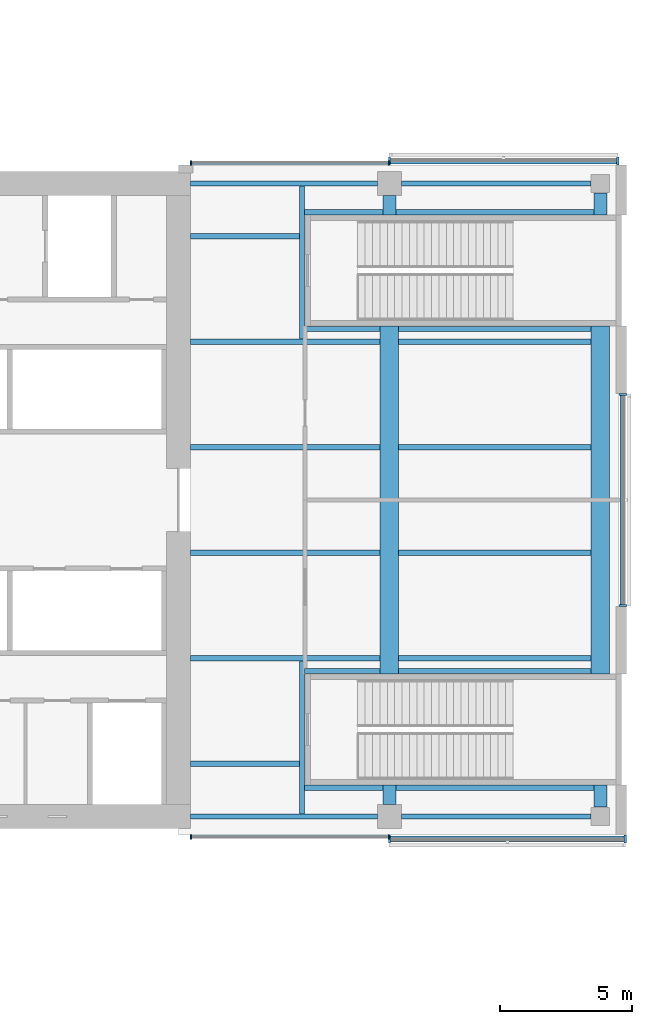
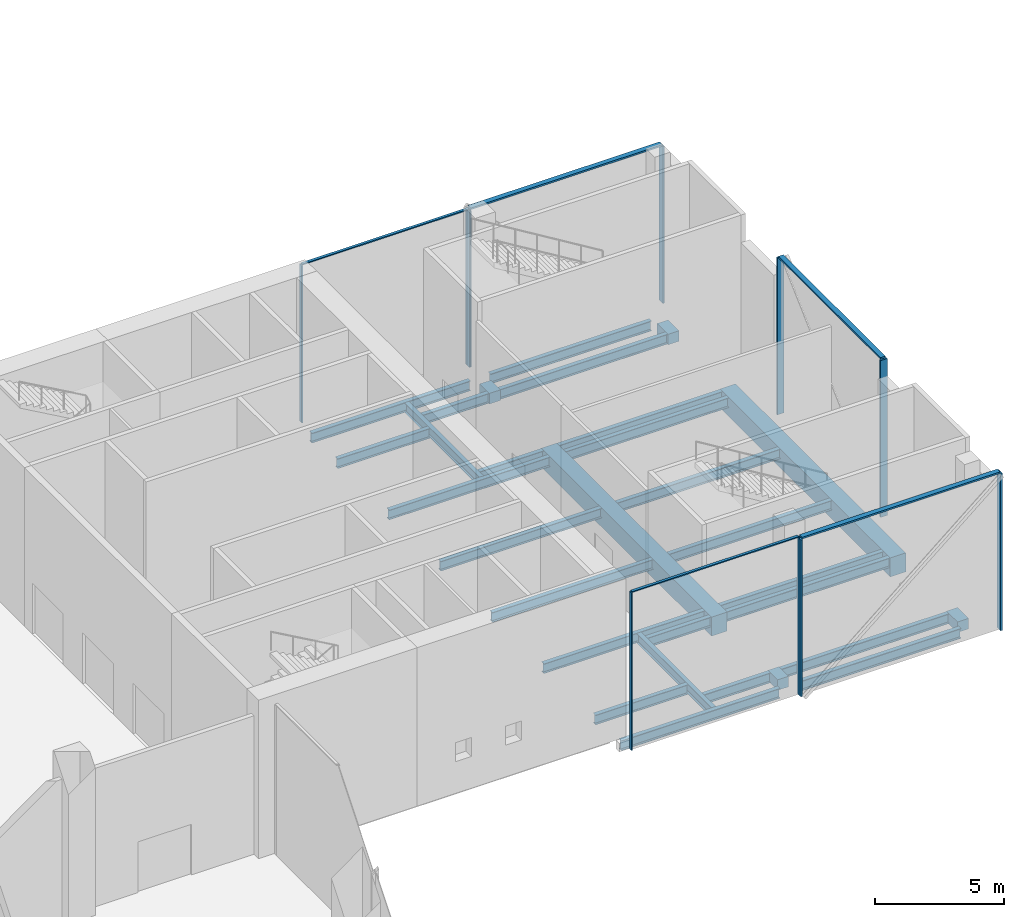
# One storey, part 7 of 25: 30 beams, 15 members, 5 elements without a shape of their own.
"""IFC4 building model written with IfcOpenShell, lengths in metres."""

from ifc_helpers import new_model, si_unit, direction, frame, origin, origin_2d, place, context, subcontext, project, spatial, rectangle, i_section, extrude, material, material_profile, profile_set, type_object, element, aggregate, save


model = new_model("IFC4")

# Units and contexts
model_context = context("Model", 3, precision=1e-05, world=origin(), true_north=direction((0.0, 1.0)))
body_context = subcontext(model_context, "Body", "Model", "MODEL_VIEW")
ifc_project = project(units=[si_unit("LENGTHUNIT", "METRE"), si_unit("AREAUNIT", "SQUARE_METRE"), si_unit("VOLUMEUNIT", "CUBIC_METRE"), si_unit("PLANEANGLEUNIT", "RADIAN"), si_unit("MASSUNIT", "GRAM", prefix="KILO")], contexts=[model_context])

# Site, building, storey
site_placement = place(None, origin())
site = spatial("IfcSite", under=ifc_project, at=site_placement, CompositionType="ELEMENT")
building_placement = place(site_placement, origin())
building = spatial("IfcBuilding", under=site, at=building_placement, Name="Crosswind Convention Tower", CompositionType="ELEMENT")
storey_placement = place(building_placement, frame((0.0, 0.0, 34.0)))
storey = spatial("IfcBuildingStorey", under=building, at=storey_placement, Name="L04", CompositionType="ELEMENT", Elevation=34.0)

# Beams
ifc_material_1 = material(Name="Steel S355", Category="steel")
ifc_material_profile_1 = material_profile(ifc_material_1, i_section(OverallWidth=0.19287109375, OverallDepth=0.467529296875, WebThickness=0.011474609375, FlangeThickness=0.01953125, FilletRadius=0.01025390625, at=origin_2d()), Name="UB 457x191x98")
ifc_profile_set_1 = profile_set([ifc_material_profile_1], Name="Steel S355")
beam_type_1 = type_object("IfcBeamType", Name="Edge beam UB 457x191x98", PredefinedType="SPANDREL", material=ifc_profile_set_1)
for number, where, z_axis, x_axis, name in (
    (1, (153.449951171875, 88.0, -0.6337890625), (1.0, 0.0, 0.0), (0.0, 1.0, 0.0), "B20 L04 edge beam 21"),
    (2, (153.449951171875, 112.0, -0.6337890625), (1.0, 0.0, 0.0), (0.0, 1.0, 0.0), "B20 L04 edge beam 22"),
):
    element("IfcBeam", number, at=place(storey_placement, frame(where, z_axis=z_axis, x_axis=x_axis)), inside=storey, type_object=beam_type_1, Name=name, PredefinedType="SPANDREL", context=body_context, shape_type="SweptSolid", body=[
        extrude(i_section(OverallWidth=0.19287109375, OverallDepth=0.467529296875, WebThickness=0.011474609375, FlangeThickness=0.01953125, FilletRadius=0.01025390625, at=origin_2d()), origin(), (0.0, 0.0, 1.0), 7.10009765625),
    ])
for number, where, z_axis, x_axis, name in (
    (3, (161.449951171875, 88.0, -0.6337890625), (1.0, 0.0, 0.0), (0.0, 1.0, 0.0), "B20 L04 edge beam 23"),
    (4, (161.449951171875, 112.0, -0.6337890625), (1.0, 0.0, 0.0), (0.0, 1.0, 0.0), "B20 L04 edge beam 24"),
):
    element("IfcBeam", number, at=place(storey_placement, frame(where, z_axis=z_axis, x_axis=x_axis)), inside=storey, type_object=beam_type_1, Name=name, PredefinedType="SPANDREL", context=body_context, shape_type="SweptSolid", body=[
        extrude(i_section(OverallWidth=0.19287109375, OverallDepth=0.467529296875, WebThickness=0.011474609375, FlangeThickness=0.01953125, FilletRadius=0.01025390625, at=origin_2d()), origin(), (0.0, 0.0, 1.0), 7.199951171875),
    ])

# Curtain wall, members
ifc_material_2 = material(Name="Aluminium unitised curtain wall", Category="aluminium")
curtain_wall_type_1 = type_object("IfcCurtainWallType", Name="CORE END SLOT WALL 160", PredefinedType="USERDEFINED", material=ifc_material_2)
curtain_wall_1_placement = place(storey_placement, origin())
curtain_wall_1 = element("IfcCurtainWall", 5, at=curtain_wall_1_placement, inside=storey, type_object=curtain_wall_type_1, Name="CW6 L04 E-N.1-2 slot", ObjectType="UNITISED", PredefinedType="USERDEFINED")
ifc_material_3 = material(Name="Aluminium mullion", Category="aluminium")
ifc_material_profile_2 = material_profile(ifc_material_3, rectangle(XDim=0.159912109375, YDim=0.050048828125, at=origin_2d()), Name="AL 160X50")
ifc_profile_set_2 = profile_set([ifc_material_profile_2], Name="Aluminium mullion")
member_type_1 = type_object("IfcMemberType", Name="MULLION 50X160", PredefinedType="MULLION", material=ifc_profile_set_2)
member_1_placement = place(storey_placement, frame((160.97509765625, 112.780029296875, -0.39990234375), z_axis=(0.0, 0.0, 1.0), x_axis=(0.0, 1.0, 0.0)))
member_1 = element("IfcMember", 6, at=member_1_placement, type_object=member_type_1, Name="CW6 mullion 1", PredefinedType="MULLION", context=body_context, shape_type="SweptSolid", body=[
    extrude(rectangle(XDim=0.159912109375, YDim=0.050048828125, at=origin_2d()), origin(), (0.0, 0.0, 1.0), 7.449951171875),
])
member_2_placement = place(storey_placement, frame((153.47509765625, 112.780029296875, -0.39990234375), z_axis=(0.0, 0.0, 1.0), x_axis=(0.0, 1.0, 0.0)))
member_2 = element("IfcMember", 7, at=member_2_placement, type_object=member_type_1, Name="CW6 mullion 2", PredefinedType="MULLION", context=body_context, shape_type="SweptSolid", body=[
    extrude(rectangle(XDim=0.159912109375, YDim=0.050048828125, at=origin_2d()), origin(), (0.0, 0.0, 1.0), 7.449951171875),
])

curtain_wall_2_placement = place(storey_placement, origin())
curtain_wall_2 = element("IfcCurtainWall", 8, at=curtain_wall_2_placement, inside=storey, type_object=curtain_wall_type_1, Name="CW6 L04 E-S.2-1 slot", ObjectType="UNITISED", PredefinedType="USERDEFINED")
member_3_placement = place(storey_placement, frame((153.47509765625, 87.219970703125, -0.39990234375), z_axis=(0.0, 0.0, 1.0), x_axis=(0.0, -1.0, 0.0)))
member_3 = element("IfcMember", 9, at=member_3_placement, type_object=member_type_1, Name="CW6 mullion 1", PredefinedType="MULLION", context=body_context, shape_type="SweptSolid", body=[
    extrude(rectangle(XDim=0.159912109375, YDim=0.050048828125, at=origin_2d()), origin(), (0.0, 0.0, 1.0), 7.449951171875),
])
member_4_placement = place(storey_placement, frame((160.97509765625, 87.219970703125, -0.39990234375), z_axis=(0.0, 0.0, 1.0), x_axis=(0.0, -1.0, 0.0)))
member_4 = element("IfcMember", 10, at=member_4_placement, type_object=member_type_1, Name="CW6 mullion 2", PredefinedType="MULLION", context=body_context, shape_type="SweptSolid", body=[
    extrude(rectangle(XDim=0.159912109375, YDim=0.050048828125, at=origin_2d()), origin(), (0.0, 0.0, 1.0), 7.449951171875),
])

curtain_wall_type_2 = type_object("IfcCurtainWallType", Name="PODIUM UNITISED WALL 300", PredefinedType="USERDEFINED", material=ifc_material_2)
curtain_wall_3_placement = place(storey_placement, origin())
curtain_wall_3 = element("IfcCurtainWall", 11, at=curtain_wall_3_placement, inside=storey, type_object=curtain_wall_type_2, Name="CW1 L04 E-TIP 1", ObjectType="UNITISED", PredefinedType="USERDEFINED")
ifc_material_profile_3 = material_profile(ifc_material_3, rectangle(XDim=0.300048828125, YDim=0.080078125, at=origin_2d()), Name="AL 300X80")
ifc_profile_set_3 = profile_set([ifc_material_profile_3], Name="Aluminium mullion")
member_type_2 = type_object("IfcMemberType", Name="MULLION 80X300", PredefinedType="MULLION", material=ifc_profile_set_3)
member_5_placement = place(storey_placement, frame((169.85009765625, 96.0, -0.39990234375), z_axis=(0.0, 0.0, 1.0), x_axis=(1.0, 0.0, 0.0)))
member_5 = element("IfcMember", 12, at=member_5_placement, type_object=member_type_2, Name="CW1 mullion 1", PredefinedType="MULLION", context=body_context, shape_type="SweptSolid", body=[
    extrude(rectangle(XDim=0.300048828125, YDim=0.080078125, at=origin_2d()), origin(), (0.0, 0.0, 1.0), 7.419921875),
])
member_6_placement = place(storey_placement, frame((169.85009765625, 104.0, -0.39990234375), z_axis=(0.0, 0.0, 1.0), x_axis=(1.0, 0.0, 0.0)))
member_6 = element("IfcMember", 13, at=member_6_placement, type_object=member_type_2, Name="CW1 mullion 2", PredefinedType="MULLION", context=body_context, shape_type="SweptSolid", body=[
    extrude(rectangle(XDim=0.300048828125, YDim=0.080078125, at=origin_2d()), origin(), (0.0, 0.0, 1.0), 7.419921875),
])

curtain_wall_4_placement = place(storey_placement, origin())
curtain_wall_4 = element("IfcCurtainWall", 14, at=curtain_wall_4_placement, inside=storey, type_object=curtain_wall_type_2, Name="CW1 L04 E-N 1", ObjectType="UNITISED", PredefinedType="USERDEFINED")
member_7_placement = place(storey_placement, frame((169.659912109375, 112.85009765625, -0.39990234375), z_axis=(0.0, 0.0, 1.0), x_axis=(0.0, 1.0, 0.0)))
member_7 = element("IfcMember", 15, at=member_7_placement, type_object=member_type_2, Name="CW1 mullion 1", PredefinedType="MULLION", context=body_context, shape_type="SweptSolid", body=[
    extrude(rectangle(XDim=0.300048828125, YDim=0.080078125, at=origin_2d()), origin(), (0.0, 0.0, 1.0), 7.419921875),
])
member_8_placement = place(storey_placement, frame((161.0, 112.85009765625, -0.39990234375), z_axis=(0.0, 0.0, 1.0), x_axis=(0.0, 1.0, 0.0)))
member_8 = element("IfcMember", 16, at=member_8_placement, type_object=member_type_2, Name="CW1 mullion 2", PredefinedType="MULLION", context=body_context, shape_type="SweptSolid", body=[
    extrude(rectangle(XDim=0.300048828125, YDim=0.080078125, at=origin_2d()), origin(), (0.0, 0.0, 1.0), 7.419921875),
])

curtain_wall_5_placement = place(storey_placement, origin())
curtain_wall_5 = element("IfcCurtainWall", 17, at=curtain_wall_5_placement, inside=storey, type_object=curtain_wall_type_2, Name="CW1 L04 E-S 2", ObjectType="UNITISED", PredefinedType="USERDEFINED")
member_9_placement = place(storey_placement, frame((161.0, 87.14990234375, -0.39990234375), z_axis=(0.0, 0.0, 1.0), x_axis=(0.0, -1.0, 0.0)))
member_9 = element("IfcMember", 18, at=member_9_placement, type_object=member_type_2, Name="CW1 mullion 1", PredefinedType="MULLION", context=body_context, shape_type="SweptSolid", body=[
    extrude(rectangle(XDim=0.300048828125, YDim=0.080078125, at=origin_2d()), origin(), (0.0, 0.0, 1.0), 7.419921875),
])
member_10_placement = place(storey_placement, frame((169.945068359375, 87.14990234375, -0.39990234375), z_axis=(0.0, 0.0, 1.0), x_axis=(0.0, -1.0, 0.0)))
member_10 = element("IfcMember", 19, at=member_10_placement, type_object=member_type_2, Name="CW1 mullion 2", PredefinedType="MULLION", context=body_context, shape_type="SweptSolid", body=[
    extrude(rectangle(XDim=0.300048828125, YDim=0.080078125, at=origin_2d()), origin(), (0.0, 0.0, 1.0), 7.419921875),
])

# Beams
ifc_material_4 = material(Name="Concrete C60/75", Category="concrete")
ifc_material_profile_4 = material_profile(ifc_material_4, rectangle(XDim=0.699951171875, YDim=0.89990234375, at=origin_2d()), Name="RC 700X900")
ifc_profile_set_4 = profile_set([ifc_material_profile_4], Name="Concrete C60/75")
beam_type_2 = type_object("IfcBeamType", Name="Prestressed concrete girder between stair walls RC 700X900", PredefinedType="BEAM", material=ifc_profile_set_4)
for number, where, z_axis, x_axis, name in (
    (20, (161.0, 93.39990234375, -0.85009765625), (0.0, 1.0, 0.0), (-1.0, 0.0, 0.0), "B41 L04 prestressed concrete girder between stair walls 7"),
    (21, (169.0, 93.39990234375, -0.85009765625), (0.0, 1.0, 0.0), (-1.0, 0.0, 0.0), "B41 L04 prestressed concrete girder between stair walls 8"),
):
    element("IfcBeam", number, at=place(storey_placement, frame(where, z_axis=z_axis, x_axis=x_axis)), inside=storey, type_object=beam_type_2, Name=name, PredefinedType="BEAM", context=body_context, shape_type="SweptSolid", body=[
        extrude(rectangle(XDim=0.699951171875, YDim=0.89990234375, at=origin_2d()), origin(), (0.0, 0.0, 1.0), 13.2001953125),
    ])
ifc_material_profile_5 = material_profile(ifc_material_1, i_section(OverallWidth=0.19140625, OverallDepth=0.460205078125, WebThickness=0.010009765625, FlangeThickness=0.01611328125, FilletRadius=0.01025390625, at=origin_2d()), Name="UB 457x191x82")
ifc_profile_set_5 = profile_set([ifc_material_profile_5], Name="Steel S355")
beam_type_3 = type_object("IfcBeamType", Name="Secondary beam UB 457x191x82", PredefinedType="JOIST", material=ifc_profile_set_5)
beam_1_placement = place(storey_placement, frame((153.449951171875, 90.0, -0.630126953125), z_axis=(1.0, 0.0, 0.0), x_axis=(0.0, 1.0, 0.0)))
element("IfcBeam", 22, at=beam_1_placement, inside=storey, type_object=beam_type_3, Name="B13 L04 secondary beam 64", PredefinedType="JOIST", context=body_context, shape_type="SweptSolid", body=[
    extrude(i_section(OverallWidth=0.19140625, OverallDepth=0.460205078125, WebThickness=0.010009765625, FlangeThickness=0.01611328125, FilletRadius=0.01025390625, at=origin_2d()), origin(), (0.0, 0.0, 1.0), 4.14404296875),
])
for number, where, z_axis, x_axis, name in (
    (23, (153.449951171875, 94.0, -0.630126953125), (1.0, 0.0, 0.0), (0.0, 1.0, 0.0), "B13 L04 secondary beam 65"),
    (24, (153.449951171875, 98.0, -0.630126953125), (1.0, 0.0, 0.0), (0.0, 1.0, 0.0), "B13 L04 secondary beam 66"),
    (25, (153.449951171875, 102.0, -0.630126953125), (1.0, 0.0, 0.0), (0.0, 1.0, 0.0), "B13 L04 secondary beam 67"),
    (26, (153.449951171875, 106.0, -0.630126953125), (1.0, 0.0, 0.0), (0.0, 1.0, 0.0), "B13 L04 secondary beam 68"),
):
    element("IfcBeam", number, at=place(storey_placement, frame(where, z_axis=z_axis, x_axis=x_axis)), inside=storey, type_object=beam_type_3, Name=name, PredefinedType="JOIST", context=body_context, shape_type="SweptSolid", body=[
        extrude(i_section(OverallWidth=0.19140625, OverallDepth=0.460205078125, WebThickness=0.010009765625, FlangeThickness=0.01611328125, FilletRadius=0.01025390625, at=origin_2d()), origin(), (0.0, 0.0, 1.0), 7.199951171875),
    ])
beam_2_placement = place(storey_placement, frame((153.449951171875, 110.0, -0.630126953125), z_axis=(1.0, 0.0, 0.0), x_axis=(0.0, 1.0, 0.0)))
element("IfcBeam", 27, at=beam_2_placement, inside=storey, type_object=beam_type_3, Name="B13 L04 secondary beam 69", PredefinedType="JOIST", context=body_context, shape_type="SweptSolid", body=[
    extrude(i_section(OverallWidth=0.19140625, OverallDepth=0.460205078125, WebThickness=0.010009765625, FlangeThickness=0.01611328125, FilletRadius=0.01025390625, at=origin_2d()), origin(), (0.0, 0.0, 1.0), 4.14404296875),
])
for number, where, z_axis, x_axis, name in (
    (28, (161.35009765625, 94.0, -0.630126953125), (1.0, 0.0, 0.0), (0.0, 1.0, 0.0), "B13 L04 secondary beam 70"),
    (29, (161.35009765625, 98.0, -0.630126953125), (1.0, 0.0, 0.0), (0.0, 1.0, 0.0), "B13 L04 secondary beam 71"),
    (30, (161.35009765625, 102.0, -0.630126953125), (1.0, 0.0, 0.0), (0.0, 1.0, 0.0), "B13 L04 secondary beam 72"),
    (31, (161.35009765625, 106.0, -0.630126953125), (1.0, 0.0, 0.0), (0.0, 1.0, 0.0), "B13 L04 secondary beam 73"),
):
    element("IfcBeam", number, at=place(storey_placement, frame(where, z_axis=z_axis, x_axis=x_axis)), inside=storey, type_object=beam_type_3, Name=name, PredefinedType="JOIST", context=body_context, shape_type="SweptSolid", body=[
        extrude(i_section(OverallWidth=0.19140625, OverallDepth=0.460205078125, WebThickness=0.010009765625, FlangeThickness=0.01611328125, FilletRadius=0.01025390625, at=origin_2d()), origin(), (0.0, 0.0, 1.0), 7.2998046875),
    ])
ifc_material_profile_6 = material_profile(ifc_material_4, rectangle(XDim=0.5, YDim=0.5, at=origin_2d()), Name="RC 500X500")
ifc_profile_set_6 = profile_set([ifc_material_profile_6], Name="Concrete C60/75")
beam_type_4 = type_object("IfcBeamType", Name="Slab edge tie beam RC 500X500", PredefinedType="BEAM", material=ifc_profile_set_6)
for number, where, z_axis, x_axis, name in (
    (32, (161.0, 88.449951171875, -0.64990234375), (0.0, 1.0, 0.0), (-1.0, 0.0, 0.0), "B42 L04 slab edge tie beam 13"),
    (33, (161.0, 110.800048828125, -0.64990234375), (0.0, 1.0, 0.0), (-1.0, 0.0, 0.0), "B42 L04 slab edge tie beam 14"),
):
    element("IfcBeam", number, at=place(storey_placement, frame(where, z_axis=z_axis, x_axis=x_axis)), inside=storey, type_object=beam_type_4, Name=name, PredefinedType="BEAM", context=body_context, shape_type="SweptSolid", body=[
        extrude(rectangle(XDim=0.5, YDim=0.5, at=origin_2d()), origin(), (0.0, 0.0, 1.0), 0.75),
    ])
for number, where, z_axis, x_axis, name in (
    (34, (169.0, 88.35009765625, -0.64990234375), (0.0, 1.0, 0.0), (-1.0, 0.0, 0.0), "B42 L04 slab edge tie beam 15"),
    (35, (169.0, 110.800048828125, -0.64990234375), (0.0, 1.0, 0.0), (-1.0, 0.0, 0.0), "B42 L04 slab edge tie beam 16"),
):
    element("IfcBeam", number, at=place(storey_placement, frame(where, z_axis=z_axis, x_axis=x_axis)), inside=storey, type_object=beam_type_4, Name=name, PredefinedType="BEAM", context=body_context, shape_type="SweptSolid", body=[
        extrude(rectangle(XDim=0.5, YDim=0.5, at=origin_2d()), origin(), (0.0, 0.0, 1.0), 0.849853515625),
    ])

# Member
ifc_material_5 = material(Name="Aluminium transom", Category="aluminium")
ifc_material_profile_7 = material_profile(ifc_material_5, rectangle(XDim=0.1201171875, YDim=0.050048828125, at=origin_2d()), Name="AL 120X50")
ifc_profile_set_7 = profile_set([ifc_material_profile_7], Name="Aluminium transom")
member_type_3 = type_object("IfcMemberType", Name="TRANSOM 50X120", PredefinedType="USERDEFINED", material=ifc_profile_set_7)
member_11_placement = place(storey_placement, frame((160.949951171875, 112.780029296875, 7.074951171875), z_axis=(-1.0, 0.0, 0.0), x_axis=(0.0, -1.0, 0.0)))
member_11 = element("IfcMember", 36, at=member_11_placement, type_object=member_type_3, Name="CW6 transom", ObjectType="TRANSOM", PredefinedType="USERDEFINED", context=body_context, shape_type="SweptSolid", body=[
    extrude(rectangle(XDim=0.1201171875, YDim=0.050048828125, at=origin_2d()), origin(), (0.0, 0.0, 1.0), 7.449951171875),
])

aggregate(curtain_wall_1, [member_1, member_2, member_11])

member_12_placement = place(storey_placement, frame((153.5, 87.219970703125, 7.074951171875), z_axis=(1.0, 0.0, 0.0), x_axis=(0.0, 1.0, 0.0)))
member_12 = element("IfcMember", 37, at=member_12_placement, type_object=member_type_3, Name="CW6 transom", ObjectType="TRANSOM", PredefinedType="USERDEFINED", context=body_context, shape_type="SweptSolid", body=[
    extrude(rectangle(XDim=0.1201171875, YDim=0.050048828125, at=origin_2d()), origin(), (0.0, 0.0, 1.0), 7.449951171875),
])

aggregate(curtain_wall_2, [member_3, member_4, member_12])

ifc_material_profile_8 = material_profile(ifc_material_5, rectangle(XDim=0.219970703125, YDim=0.080078125, at=origin_2d()), Name="AL 220X80")
ifc_profile_set_8 = profile_set([ifc_material_profile_8], Name="Aluminium transom")
member_type_4 = type_object("IfcMemberType", Name="TRANSOM 80X220", PredefinedType="USERDEFINED", material=ifc_profile_set_8)
member_13_placement = place(storey_placement, frame((169.85009765625, 96.0400390625, 7.06005859375), z_axis=(0.0, 1.0, 0.0), x_axis=(-1.0, 0.0, 0.0)))
member_13 = element("IfcMember", 38, at=member_13_placement, type_object=member_type_4, Name="CW1 transom", ObjectType="TRANSOM", PredefinedType="USERDEFINED", context=body_context, shape_type="SweptSolid", body=[
    extrude(rectangle(XDim=0.219970703125, YDim=0.080078125, at=origin_2d()), origin(), (0.0, 0.0, 1.0), 7.919921875),
])

aggregate(curtain_wall_3, [member_5, member_6, member_13])

member_14_placement = place(storey_placement, frame((169.6201171875, 112.85009765625, 7.06005859375), z_axis=(-1.0, 0.0, 0.0), x_axis=(0.0, -1.0, 0.0)))
member_14 = element("IfcMember", 39, at=member_14_placement, type_object=member_type_4, Name="CW1 transom", ObjectType="TRANSOM", PredefinedType="USERDEFINED", context=body_context, shape_type="SweptSolid", body=[
    extrude(rectangle(XDim=0.219970703125, YDim=0.080078125, at=origin_2d()), origin(), (0.0, 0.0, 1.0), 8.580078125),
])

aggregate(curtain_wall_4, [member_7, member_8, member_14])

member_15_placement = place(storey_placement, frame((161.0400390625, 87.14990234375, 7.06005859375), z_axis=(1.0, 0.0, 0.0), x_axis=(0.0, 1.0, 0.0)))
member_15 = element("IfcMember", 40, at=member_15_placement, type_object=member_type_4, Name="CW1 transom", ObjectType="TRANSOM", PredefinedType="USERDEFINED", context=body_context, shape_type="SweptSolid", body=[
    extrude(rectangle(XDim=0.219970703125, YDim=0.080078125, at=origin_2d()), origin(), (0.0, 0.0, 1.0), 8.864990234375),
])

aggregate(curtain_wall_5, [member_9, member_10, member_15])

# Beams
ifc_material_profile_9 = material_profile(ifc_material_1, i_section(OverallWidth=0.19189453125, OverallDepth=0.463623046875, WebThickness=0.010498046875, FlangeThickness=0.017578125, FilletRadius=0.01025390625, at=origin_2d()), Name="UB 457x191x90")
ifc_profile_set_9 = profile_set([ifc_material_profile_9], Name="Steel S355")
beam_type_5 = type_object("IfcBeamType", Name="Trimmer beam UB 457x191x90", PredefinedType="BEAM", material=ifc_profile_set_9)
for number, where, z_axis, x_axis, name in (
    (41, (157.68994140625, 88.096435546875, -0.6318359375), (0.0, 1.0, 0.0), (-1.0, 0.0, 0.0), "B33 L04 trimmer beam 31"),
    (42, (157.68994140625, 106.095703125, -0.6318359375), (0.0, 1.0, 0.0), (-1.0, 0.0, 0.0), "B33 L04 trimmer beam 32"),
):
    element("IfcBeam", number, at=place(storey_placement, frame(where, z_axis=z_axis, x_axis=x_axis)), inside=storey, type_object=beam_type_5, Name=name, PredefinedType="BEAM", context=body_context, shape_type="SweptSolid", body=[
        extrude(i_section(OverallWidth=0.19189453125, OverallDepth=0.463623046875, WebThickness=0.010498046875, FlangeThickness=0.017578125, FilletRadius=0.01025390625, at=origin_2d()), origin(), (0.0, 0.0, 1.0), 5.807861328125),
    ])
beam_3_placement = place(storey_placement, frame((157.785888671875, 89.090087890625, -0.6318359375), z_axis=(1.0, 0.0, 0.0), x_axis=(0.0, 1.0, 0.0)))
element("IfcBeam", 43, at=beam_3_placement, inside=storey, type_object=beam_type_5, Name="B33 L04 trimmer beam 33", PredefinedType="BEAM", context=body_context, shape_type="SweptSolid", body=[
    extrude(i_section(OverallWidth=0.19189453125, OverallDepth=0.463623046875, WebThickness=0.010498046875, FlangeThickness=0.017578125, FilletRadius=0.01025390625, at=origin_2d()), origin(), (0.0, 0.0, 1.0), 2.964111328125),
])
for number, where, z_axis, x_axis, name in (
    (44, (157.785888671875, 93.510009765625, -0.6318359375), (1.0, 0.0, 0.0), (0.0, 1.0, 0.0), "B33 L04 trimmer beam 34"),
    (45, (157.785888671875, 106.489990234375, -0.6318359375), (1.0, 0.0, 0.0), (0.0, 1.0, 0.0), "B33 L04 trimmer beam 35"),
):
    element("IfcBeam", number, at=place(storey_placement, frame(where, z_axis=z_axis, x_axis=x_axis)), inside=storey, type_object=beam_type_5, Name=name, PredefinedType="BEAM", context=body_context, shape_type="SweptSolid", body=[
        extrude(i_section(OverallWidth=0.19189453125, OverallDepth=0.463623046875, WebThickness=0.010498046875, FlangeThickness=0.017578125, FilletRadius=0.01025390625, at=origin_2d()), origin(), (0.0, 0.0, 1.0), 2.864013671875),
    ])
beam_4_placement = place(storey_placement, frame((157.785888671875, 110.909912109375, -0.6318359375), z_axis=(1.0, 0.0, 0.0), x_axis=(0.0, 1.0, 0.0)))
element("IfcBeam", 46, at=beam_4_placement, inside=storey, type_object=beam_type_5, Name="B33 L04 trimmer beam 36", PredefinedType="BEAM", context=body_context, shape_type="SweptSolid", body=[
    extrude(i_section(OverallWidth=0.19189453125, OverallDepth=0.463623046875, WebThickness=0.010498046875, FlangeThickness=0.017578125, FilletRadius=0.01025390625, at=origin_2d()), origin(), (0.0, 0.0, 1.0), 2.964111328125),
])
for number, where, z_axis, x_axis, name in (
    (47, (161.25, 89.090087890625, -0.6318359375), (1.0, 0.0, 0.0), (0.0, 1.0, 0.0), "B33 L04 trimmer beam 37"),
    (48, (161.25, 110.909912109375, -0.6318359375), (1.0, 0.0, 0.0), (0.0, 1.0, 0.0), "B33 L04 trimmer beam 38"),
):
    element("IfcBeam", number, at=place(storey_placement, frame(where, z_axis=z_axis, x_axis=x_axis)), inside=storey, type_object=beam_type_5, Name=name, PredefinedType="BEAM", context=body_context, shape_type="SweptSolid", body=[
        extrude(i_section(OverallWidth=0.19189453125, OverallDepth=0.463623046875, WebThickness=0.010498046875, FlangeThickness=0.017578125, FilletRadius=0.01025390625, at=origin_2d()), origin(), (0.0, 0.0, 1.0), 7.5),
    ])
for number, where, z_axis, x_axis, name in (
    (49, (161.35009765625, 93.510009765625, -0.6318359375), (1.0, 0.0, 0.0), (0.0, 1.0, 0.0), "B33 L04 trimmer beam 39"),
    (50, (161.35009765625, 106.489990234375, -0.6318359375), (1.0, 0.0, 0.0), (0.0, 1.0, 0.0), "B33 L04 trimmer beam 40"),
):
    element("IfcBeam", number, at=place(storey_placement, frame(where, z_axis=z_axis, x_axis=x_axis)), inside=storey, type_object=beam_type_5, Name=name, PredefinedType="BEAM", context=body_context, shape_type="SweptSolid", body=[
        extrude(i_section(OverallWidth=0.19189453125, OverallDepth=0.463623046875, WebThickness=0.010498046875, FlangeThickness=0.017578125, FilletRadius=0.01025390625, at=origin_2d()), origin(), (0.0, 0.0, 1.0), 7.2998046875),
    ])

save(model, "model.ifc")
